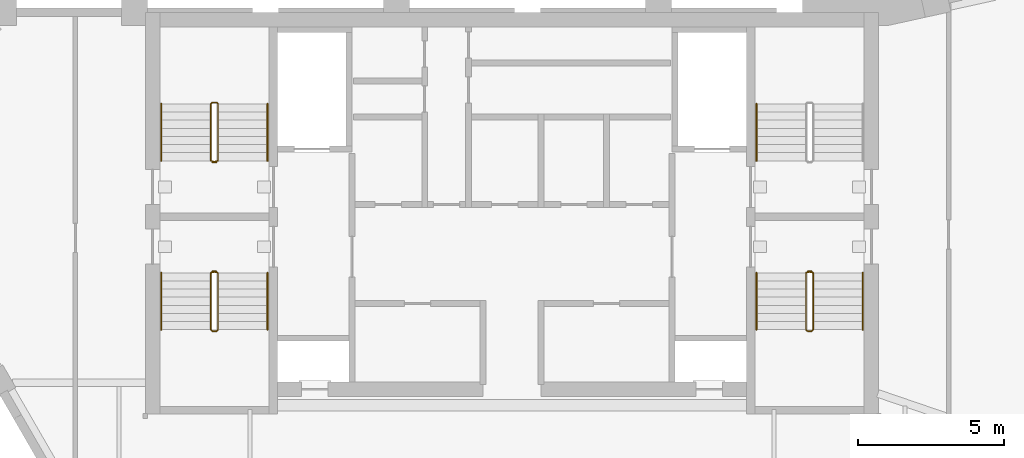
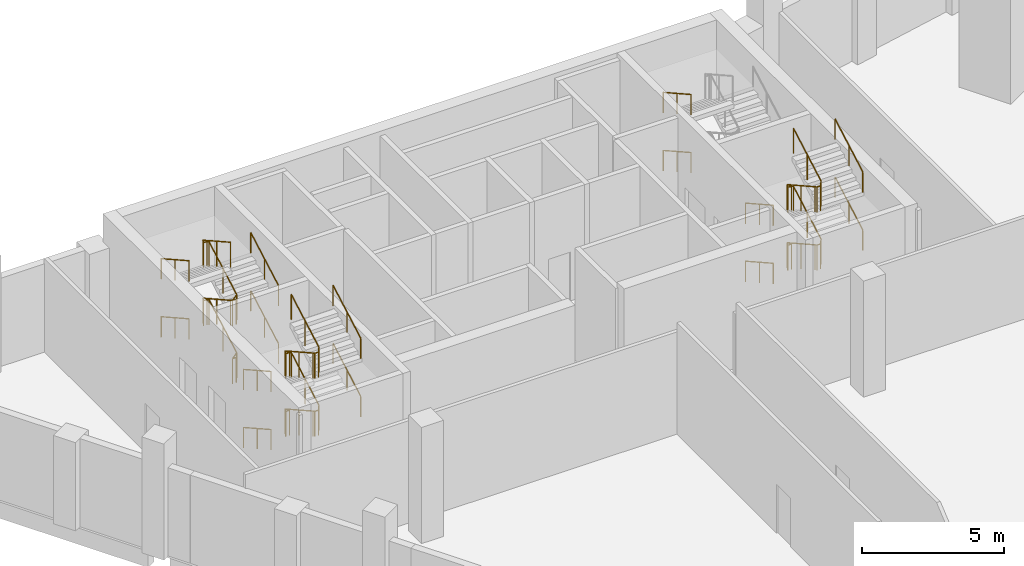
# One storey, part 8 of 9: 17 railings.
"""IFC4 building model written with IfcOpenShell, lengths in metres."""

import ifcopenshell
import ifcopenshell.guid

model = None  # the IFC model being written
_history = None  # IfcOwnerHistory: only IFC2X3 demands one
_inside = {}  # id of a spatial element -> (the spatial element, [elements in it])
_under = {}  # id of a project, library or spatial element -> (it, [spatial elements below it])
_declared = {}  # id of a project -> (the project, [libraries it declares])
_typed = {}  # id of a type object -> (the type object, [elements of that type])
_made_of = {}  # id of a material, layer set ... -> (it, [elements and type objects made of it])


def new_model(schema):
    """Start an empty IFC model of exactly this schema.

    Asked for "IFC4X3", IfcOpenShell would pick the latest addendum, in which some entities
    have other attributes; the version numbers below select the first issue.
    IFC2X3 requires an IfcOwnerHistory on every rooted entity: one is made here for all.
    """
    global model, _history
    if schema == "IFC4X3":
        model = ifcopenshell.file(schema_version=(4, 3, 0, 0))
    else:
        model = ifcopenshell.file(schema=schema)
    _inside.clear()
    _under.clear()
    _declared.clear()
    _typed.clear()
    _made_of.clear()
    _history = None
    if model.schema == "IFC2X3":
        org = make("IfcOrganization", Name="unknown")
        user = make(
            "IfcPersonAndOrganization",
            ThePerson=make("IfcPerson", FamilyName="unknown"),
            TheOrganization=org,
        )
        app = make(
            "IfcApplication",
            ApplicationDeveloper=org,
            Version="unknown",
            ApplicationFullName="unknown",
            ApplicationIdentifier="unknown",
        )
        _history = make(
            "IfcOwnerHistory",
            OwningUser=user,
            OwningApplication=app,
            ChangeAction="ADDED",
            CreationDate=0,
        )
    return model


def make(cls, **values):
    """One entity of the class cls with the attributes given. An attribute that is None is left unset."""
    return model.create_entity(
        cls, **{name: value for name, value in values.items() if value is not None}
    )


def rooted(cls, **values):
    """An entity with a GlobalId (a new one), such as an element, a storey or a relation."""
    return make(cls, GlobalId=ifcopenshell.guid.new(), OwnerHistory=_history, **values)


def si_unit(unit_type, name, prefix=None):
    """IfcSIUnit, for example si_unit("LENGTHUNIT", "METRE", prefix="MILLI")."""
    return make("IfcSIUnit", UnitType=unit_type, Prefix=prefix, Name=name)


def assignment(units):
    """IfcUnitAssignment: the units of a project."""
    return None if units is None else make("IfcUnitAssignment", Units=units)


def point(xyz):
    """IfcCartesianPoint."""
    return None if xyz is None else make("IfcCartesianPoint", Coordinates=xyz)


def direction(xyz):
    """IfcDirection."""
    return None if xyz is None else make("IfcDirection", DirectionRatios=xyz)


def frame(location, z_axis=None, x_axis=None):
    """IfcAxis2Placement3D, a coordinate frame: its origin and axes. An axis left out is left unset."""
    return make(
        "IfcAxis2Placement3D",
        Location=point(location),
        Axis=direction(z_axis),
        RefDirection=direction(x_axis),
    )


def frame_2d(location, x_axis=None):
    """IfcAxis2Placement2D, a coordinate frame in the plane: its origin and x axis."""
    return make(
        "IfcAxis2Placement2D", Location=point(location), RefDirection=direction(x_axis)
    )


def origin():
    """The frame at (0, 0, 0) with its axes left unset."""
    return frame((0.0, 0.0, 0.0))


def origin_2d():
    """The frame at (0, 0) in the plane with its x axis left unset."""
    return frame_2d((0.0, 0.0))


def place(relative_to, where):
    """IfcLocalPlacement: puts the frame where relative to a parent placement (None: the world)."""
    return make(
        "IfcLocalPlacement", PlacementRelTo=relative_to, RelativePlacement=where
    )


def context(
    kind, dimensions, precision=None, world=None, true_north=None, identifier=None
):
    """IfcGeometricRepresentationContext, for example the 3D "Model" context."""
    return make(
        "IfcGeometricRepresentationContext",
        ContextIdentifier=identifier,
        ContextType=kind,
        CoordinateSpaceDimension=dimensions,
        Precision=precision,
        WorldCoordinateSystem=world,
        TrueNorth=true_north,
    )


def subcontext(parent, identifier, kind, view, scale=None):
    """IfcGeometricRepresentationSubContext, for example "Body" below "Model"."""
    return make(
        "IfcGeometricRepresentationSubContext",
        ContextIdentifier=identifier,
        ContextType=kind,
        ParentContext=parent,
        TargetScale=scale,
        TargetView=view,
    )


def project(units=None, contexts=None):
    """IfcProject with its units and contexts."""
    return rooted(
        "IfcProject",
        Name="project",
        RepresentationContexts=contexts,
        UnitsInContext=assignment(units),
    )


def spatial(cls, under=None, at=None, **own):
    """A site, building, storey or space (cls), placed at a placement, below another one or the project."""
    s = rooted(cls, ObjectPlacement=at, **own)
    if under is not None:
        _under.setdefault(under.id(), (under, []))[1].append(s)
    return s


def profile(cls, at=None, kind="AREA", **sizes):
    """A parametric profile (cls). Its sizes go by their IFC names, for example OverallWidth=200.0."""
    return make(cls, ProfileType=kind, Position=at, **sizes)


def circle(**sizes):
    """IfcCircleProfileDef."""
    return profile("IfcCircleProfileDef", **sizes)


def extrude(swept, where, along, depth):
    """IfcExtrudedAreaSolid: the profile swept, set in the frame where, extruded along a direction by depth."""
    return make(
        "IfcExtrudedAreaSolid",
        SweptArea=swept,
        Position=where,
        ExtrudedDirection=direction(along),
        Depth=depth,
    )


def shape(context_of_items, identifier, shape_type, items):
    """IfcShapeRepresentation: the items that make up one representation, for example the "Body"."""
    return make(
        "IfcShapeRepresentation",
        ContextOfItems=context_of_items,
        RepresentationIdentifier=identifier,
        RepresentationType=shape_type,
        Items=items,
    )


def material(Name=None, Category=None):
    """IfcMaterial."""
    return make("IfcMaterial", Name=Name, Category=Category)


def made_of(thing, what):
    """Note that an element or type object is made of a material, layer set ...; save() writes the relation."""
    if what is not None:
        _made_of.setdefault(what.id(), (what, []))[1].append(thing)
    return thing


def type_object(cls, material=None, **own):
    """A type object (cls), such as IfcWallType, which elements share."""
    return made_of(rooted(cls, **own), material)


def element(
    cls,
    number,
    at=None,
    inside=None,
    cuts=None,
    type_object=None,
    material=None,
    context=None,
    identifier="Body",
    shape_type=None,
    held_by="IfcProductDefinitionShape",
    body=None,
    shapes=None,
    **own,
):
    """One element of the class cls, such as IfcWall. Its Tag is "e" and its number.

    at: its placement. inside: the storey or other place that contains it. cuts: it is an
    opening in that element (IfcRelVoidsElement). A single representation is given by context,
    identifier, shape_type and body (its items); several are given by shapes. held_by: the class
    of the entity that holds the representations. save() writes the other relations.
    """
    e = rooted(cls, Tag="e%d" % number, ObjectPlacement=at, **own)
    if body is not None:
        shapes = [shape(context, identifier, shape_type, body)]
    if shapes is not None:
        e.Representation = make(held_by, Representations=shapes)
    if inside is not None:
        _inside.setdefault(inside.id(), (inside, []))[1].append(e)
    if cuts is not None:
        rooted(
            "IfcRelVoidsElement", RelatingBuildingElement=cuts, RelatedOpeningElement=e
        )
    if type_object is not None:
        _typed.setdefault(type_object.id(), (type_object, []))[1].append(e)
    return made_of(e, material)


def aggregate(whole, parts):
    """IfcRelAggregates: a whole, such as a stair, and the parts it consists of."""
    return rooted("IfcRelAggregates", RelatingObject=whole, RelatedObjects=parts)


def save(model, path):
    """Write the relations noted so far, then the file.

    IfcRelAggregates (storeys below a building ...), IfcRelContainedInSpatialStructure (elements
    in a storey), IfcRelDefinesByType, IfcRelAssociatesMaterial and IfcRelDeclares: one each for
    every whole, place, type object, material and project.
    """
    for whole, parts in _under.values():
        aggregate(whole, parts)
    for where, things in _inside.values():
        rooted(
            "IfcRelContainedInSpatialStructure",
            RelatedElements=things,
            RelatingStructure=where,
        )
    for kind, things in _typed.values():
        rooted("IfcRelDefinesByType", RelatedObjects=things, RelatingType=kind)
    for what, things in _made_of.values():
        rooted("IfcRelAssociatesMaterial", RelatedObjects=things, RelatingMaterial=what)
    for by, libraries in _declared.values():
        rooted("IfcRelDeclares", RelatingContext=by, RelatedDefinitions=libraries)
    model.write(path)


model = new_model("IFC4")

# Units and contexts
model_context = context("Model", 3, precision=1e-05, world=origin(), true_north=direction((0.0, 1.0)))
body_context = subcontext(model_context, "Body", "Model", "MODEL_VIEW")
ifc_project = project(units=[si_unit("LENGTHUNIT", "METRE"), si_unit("AREAUNIT", "SQUARE_METRE"), si_unit("VOLUMEUNIT", "CUBIC_METRE"), si_unit("PLANEANGLEUNIT", "RADIAN"), si_unit("MASSUNIT", "GRAM", prefix="KILO")], contexts=[model_context])

# Site, building, storey
site_placement = place(None, origin())
site = spatial("IfcSite", under=ifc_project, at=site_placement, CompositionType="ELEMENT")
building_placement = place(site_placement, origin())
building = spatial("IfcBuilding", under=site, at=building_placement, Name="Calabash Gate Tower", CompositionType="ELEMENT")
storey_placement = place(building_placement, frame((0.0, 0.0, 320.5)))
storey = spatial("IfcBuildingStorey", under=building, at=storey_placement, Name="L75", CompositionType="ELEMENT", Elevation=320.5)

# Railings
ifc_material_1 = material(Name="Black powder-coated steel balusters", Category="steel")
railing_type_1 = type_object("IfcRailingType", Name="Stair guard RL1100", PredefinedType="GUARDRAIL", material=ifc_material_1)
railing_1_placement = place(storey_placement, frame((-10.14990234375, 13.902587890625, 0.0)))
element("IfcRailing", 1, at=railing_1_placement, inside=storey, type_object=railing_type_1, Name="L75 ST1 stair guard 1", PredefinedType="GUARDRAIL", context=body_context, shape_type="SweptSolid", body=[
    extrude(circle(Radius=0.02392578125, at=origin_2d()), frame((0.0, 0.0, 1.076171875), z_axis=(-1.0, 0.0, 0.0), x_axis=(0.0, -1.0, 0.0)), (0.0, 0.0, 1.0), 0.150146484375),
    extrude(circle(Radius=0.02392578125, at=origin_2d()), frame((-0.150146484375, 0.0, 1.076171875), z_axis=(0.77305925043, 0.19350078918, 0.604100024756), x_axis=(-0.242814311512, 0.970072785993, 0.0)), (0.0, 0.0, 1.0), 0.258544921875),
    extrude(circle(Radius=0.02392578125, at=origin_2d()), frame((0.0498046875, 0.050048828125, 1.232421875), z_axis=(0.0, 0.872479975208, 0.48864986735), x_axis=(-1.0, 0.0, 0.0)), (0.0, 0.0, 1.0), 2.23828125),
    extrude(circle(Radius=0.02392578125, at=origin_2d()), frame((0.0498046875, 2.0029296875, 2.326171875), z_axis=(-0.705375805398, 0.708833529934, 0.0), x_axis=(-0.708833529934, -0.705375805398, 0.0)), (0.0, 0.0, 1.0), 0.070556640625),
    extrude(circle(Radius=0.02392578125, at=origin_2d()), frame((0.0, 2.052978515625, 2.326171875), z_axis=(-1.0, 0.0, 0.0), x_axis=(0.0, -1.0, 0.0)), (0.0, 0.0, 1.0), 0.150146484375),
    extrude(circle(Radius=0.02392578125, at=origin_2d()), frame((-0.150146484375, 2.052978515625, 2.326171875), z_axis=(-0.29177245553, -0.29177245553, 0.91089937336), x_axis=(0.707106781187, -0.707106781187, 0.0)), (0.0, 0.0, 1.0), 0.171630859375),
    extrude(circle(Radius=0.02392578125, at=origin_2d()), frame((-0.2001953125, 2.0029296875, 2.482421875), z_axis=(0.0, -0.872479975208, 0.48864986735), x_axis=(1.0, 0.0, 0.0)), (0.0, 0.0, 1.0), 2.23828125),
    extrude(circle(Radius=0.02392578125, at=origin_2d()), frame((-0.2001953125, 0.050048828125, 3.576171875), z_axis=(0.970142500145, -0.242535625036, 0.0), x_axis=(0.242535625036, 0.970142500145, 0.0)), (0.0, 0.0, 1.0), 0.206298828125),
    extrude(circle(Radius=0.02392578125, at=origin_2d()), frame((0.0, 0.0, 3.576171875), z_axis=(-1.0, 0.0, 0.0), x_axis=(0.0, -1.0, 0.0)), (0.0, 0.0, 1.0), 0.150146484375),
    extrude(circle(Radius=0.02392578125, at=origin_2d()), frame((-0.150146484375, 0.0, 3.576171875), z_axis=(0.77305925043, 0.19350078918, 0.604100024756), x_axis=(-0.242814311512, 0.970072785993, 0.0)), (0.0, 0.0, 1.0), 0.258544921875),
    extrude(circle(Radius=0.02392578125, at=origin_2d()), frame((0.0498046875, 0.050048828125, 3.732421875), z_axis=(0.0, 0.872479975208, 0.48864986735), x_axis=(-1.0, 0.0, 0.0)), (0.0, 0.0, 1.0), 2.23828125),
    extrude(circle(Radius=0.02392578125, at=origin_2d()), frame((0.0498046875, 2.0029296875, 4.826171875), z_axis=(-0.705375805398, 0.708833529934, 0.0), x_axis=(-0.708833529934, -0.705375805398, 0.0)), (0.0, 0.0, 1.0), 0.070556640625),
    extrude(circle(Radius=0.02392578125, at=origin_2d()), frame((0.0, 2.052978515625, 4.826171875), z_axis=(-1.0, 0.0, 0.0), x_axis=(0.0, -1.0, 0.0)), (0.0, 0.0, 1.0), 0.150146484375),
    extrude(circle(Radius=0.02392578125, at=origin_2d()), frame((-0.150146484375, 2.052978515625, 4.826171875), z_axis=(-0.29177245553, -0.29177245553, 0.91089937336), x_axis=(0.707106781187, -0.707106781187, 0.0)), (0.0, 0.0, 1.0), 0.171630859375),
    extrude(circle(Radius=0.02392578125, at=origin_2d()), frame((-0.2001953125, 2.0029296875, 4.982421875), z_axis=(0.0, -0.872479975208, 0.48864986735), x_axis=(1.0, 0.0, 0.0)), (0.0, 0.0, 1.0), 2.23828125),
    extrude(circle(Radius=0.02099609375, at=origin_2d()), origin(), (0.0, 0.0, 1.0), 1.052001953125),
    extrude(circle(Radius=0.02099609375, at=origin_2d()), frame((-0.150146484375, 0.0, 0.0)), (0.0, 0.0, 1.0), 1.052001953125),
    extrude(circle(Radius=0.02099609375, at=origin_2d()), frame((0.0498046875, 0.050048828125, 0.15625)), (0.0, 0.0, 1.0), 1.052001953125),
    extrude(circle(Radius=0.02099609375, at=origin_2d()), frame((0.0498046875, 1.0263671875, 0.703125)), (0.0, 0.0, 1.0), 1.052001953125),
    extrude(circle(Radius=0.02099609375, at=origin_2d()), frame((0.0498046875, 2.0029296875, 1.25)), (0.0, 0.0, 1.0), 1.052001953125),
    extrude(circle(Radius=0.02099609375, at=origin_2d()), frame((0.0, 2.052978515625, 1.25)), (0.0, 0.0, 1.0), 1.052001953125),
    extrude(circle(Radius=0.02099609375, at=origin_2d()), frame((-0.150146484375, 2.052978515625, 1.25)), (0.0, 0.0, 1.0), 1.052001953125),
    extrude(circle(Radius=0.02099609375, at=origin_2d()), frame((-0.2001953125, 2.0029296875, 1.40625)), (0.0, 0.0, 1.0), 1.052001953125),
    extrude(circle(Radius=0.02099609375, at=origin_2d()), frame((-0.2001953125, 1.0263671875, 1.953125)), (0.0, 0.0, 1.0), 1.052001953125),
    extrude(circle(Radius=0.02099609375, at=origin_2d()), frame((-0.2001953125, 0.050048828125, 2.5)), (0.0, 0.0, 1.0), 1.052001953125),
    extrude(circle(Radius=0.02099609375, at=origin_2d()), frame((0.0, 0.0, 2.5)), (0.0, 0.0, 1.0), 1.052001953125),
    extrude(circle(Radius=0.02099609375, at=origin_2d()), frame((-0.150146484375, 0.0, 2.5)), (0.0, 0.0, 1.0), 1.052001953125),
    extrude(circle(Radius=0.02099609375, at=origin_2d()), frame((0.0498046875, 0.050048828125, 2.65625)), (0.0, 0.0, 1.0), 1.052001953125),
    extrude(circle(Radius=0.02099609375, at=origin_2d()), frame((0.0498046875, 1.0263671875, 3.203125)), (0.0, 0.0, 1.0), 1.052001953125),
    extrude(circle(Radius=0.02099609375, at=origin_2d()), frame((0.0498046875, 2.0029296875, 3.75)), (0.0, 0.0, 1.0), 1.052001953125),
    extrude(circle(Radius=0.02099609375, at=origin_2d()), frame((0.0, 2.052978515625, 3.75)), (0.0, 0.0, 1.0), 1.052001953125),
    extrude(circle(Radius=0.02099609375, at=origin_2d()), frame((-0.150146484375, 2.052978515625, 3.75)), (0.0, 0.0, 1.0), 1.052001953125),
    extrude(circle(Radius=0.02099609375, at=origin_2d()), frame((-0.2001953125, 2.0029296875, 3.90625)), (0.0, 0.0, 1.0), 1.052001953125),
    extrude(circle(Radius=0.02099609375, at=origin_2d()), frame((-0.2001953125, 1.0263671875, 4.453125)), (0.0, 0.0, 1.0), 1.052001953125),
    extrude(circle(Radius=0.02099609375, at=origin_2d()), frame((-0.2001953125, 0.050048828125, 5.0)), (0.0, 0.0, 1.0), 1.052001953125),
])
railing_2_placement = place(storey_placement, frame((-10.300048828125, 10.152587890625, 0.0)))
element("IfcRailing", 2, at=railing_2_placement, inside=storey, type_object=railing_type_1, Name="L75 ST2 stair guard 1", PredefinedType="GUARDRAIL", context=body_context, shape_type="SweptSolid", body=[
    extrude(circle(Radius=0.02392578125, at=origin_2d()), frame((0.0, 0.0, 1.076171875), z_axis=(1.0, 0.0, 0.0), x_axis=(0.0, 1.0, 0.0)), (0.0, 0.0, 1.0), 0.150146484375),
    extrude(circle(Radius=0.02392578125, at=origin_2d()), frame((0.150146484375, 0.0, 1.076171875), z_axis=(-0.773438643492, -0.193359660873, 0.603659429067), x_axis=(0.242535625036, -0.970142500145, 0.0)), (0.0, 0.0, 1.0), 0.2587890625),
    extrude(circle(Radius=0.02392578125, at=origin_2d()), frame((-0.050048828125, -0.050048828125, 1.232421875), z_axis=(0.0, -0.872479975208, 0.48864986735), x_axis=(1.0, 0.0, 0.0)), (0.0, 0.0, 1.0), 2.23828125),
    extrude(circle(Radius=0.02392578125, at=origin_2d()), frame((-0.050048828125, -2.0029296875, 2.326171875), z_axis=(0.707106781187, -0.707106781187, 0.0), x_axis=(0.707106781187, 0.707106781187, 0.0)), (0.0, 0.0, 1.0), 0.07080078125),
    extrude(circle(Radius=0.02392578125, at=origin_2d()), frame((0.0, -2.052978515625, 2.326171875), z_axis=(1.0, 0.0, 0.0), x_axis=(0.0, 1.0, 0.0)), (0.0, 0.0, 1.0), 0.150146484375),
    extrude(circle(Radius=0.02392578125, at=origin_2d()), frame((0.150146484375, -2.052978515625, 2.326171875), z_axis=(0.290469530425, 0.291893400672, 0.911276958196), x_axis=(-0.708833529934, 0.705375805398, 0.0)), (0.0, 0.0, 1.0), 0.17138671875),
    extrude(circle(Radius=0.02392578125, at=origin_2d()), frame((0.199951171875, -2.0029296875, 2.482421875), z_axis=(0.0, 0.872479975208, 0.48864986735), x_axis=(-1.0, 0.0, 0.0)), (0.0, 0.0, 1.0), 2.23828125),
    extrude(circle(Radius=0.02392578125, at=origin_2d()), frame((0.199951171875, -0.050048828125, 3.576171875), z_axis=(-0.970072785993, 0.242814311512, 0.0), x_axis=(-0.242814311512, -0.970072785993, 0.0)), (0.0, 0.0, 1.0), 0.2060546875),
    extrude(circle(Radius=0.02392578125, at=origin_2d()), frame((0.0, 0.0, 3.576171875), z_axis=(1.0, 0.0, 0.0), x_axis=(0.0, 1.0, 0.0)), (0.0, 0.0, 1.0), 0.150146484375),
    extrude(circle(Radius=0.02392578125, at=origin_2d()), frame((0.150146484375, 0.0, 3.576171875), z_axis=(-0.773438643492, -0.193359660873, 0.603659429067), x_axis=(0.242535625036, -0.970142500145, 0.0)), (0.0, 0.0, 1.0), 0.2587890625),
    extrude(circle(Radius=0.02392578125, at=origin_2d()), frame((-0.050048828125, -0.050048828125, 3.732421875), z_axis=(0.0, -0.872479975208, 0.48864986735), x_axis=(1.0, 0.0, 0.0)), (0.0, 0.0, 1.0), 2.23828125),
    extrude(circle(Radius=0.02392578125, at=origin_2d()), frame((-0.050048828125, -2.0029296875, 4.826171875), z_axis=(0.707106781187, -0.707106781187, 0.0), x_axis=(0.707106781187, 0.707106781187, 0.0)), (0.0, 0.0, 1.0), 0.07080078125),
    extrude(circle(Radius=0.02392578125, at=origin_2d()), frame((0.0, -2.052978515625, 4.826171875), z_axis=(1.0, 0.0, 0.0), x_axis=(0.0, 1.0, 0.0)), (0.0, 0.0, 1.0), 0.150146484375),
    extrude(circle(Radius=0.02392578125, at=origin_2d()), frame((0.150146484375, -2.052978515625, 4.826171875), z_axis=(0.290469530425, 0.291893400672, 0.911276958196), x_axis=(-0.708833529934, 0.705375805398, 0.0)), (0.0, 0.0, 1.0), 0.17138671875),
    extrude(circle(Radius=0.02392578125, at=origin_2d()), frame((0.199951171875, -2.0029296875, 4.982421875), z_axis=(0.0, 0.872479975208, 0.48864986735), x_axis=(-1.0, 0.0, 0.0)), (0.0, 0.0, 1.0), 2.23828125),
    extrude(circle(Radius=0.02099609375, at=origin_2d()), origin(), (0.0, 0.0, 1.0), 1.052001953125),
    extrude(circle(Radius=0.02099609375, at=origin_2d()), frame((0.150146484375, 0.0, 0.0)), (0.0, 0.0, 1.0), 1.052001953125),
    extrude(circle(Radius=0.02099609375, at=origin_2d()), frame((-0.050048828125, -0.050048828125, 0.15625)), (0.0, 0.0, 1.0), 1.052001953125),
    extrude(circle(Radius=0.02099609375, at=origin_2d()), frame((-0.050048828125, -1.0263671875, 0.703125)), (0.0, 0.0, 1.0), 1.052001953125),
    extrude(circle(Radius=0.02099609375, at=origin_2d()), frame((-0.050048828125, -2.0029296875, 1.25)), (0.0, 0.0, 1.0), 1.052001953125),
    extrude(circle(Radius=0.02099609375, at=origin_2d()), frame((0.0, -2.052978515625, 1.25)), (0.0, 0.0, 1.0), 1.052001953125),
    extrude(circle(Radius=0.02099609375, at=origin_2d()), frame((0.150146484375, -2.052978515625, 1.25)), (0.0, 0.0, 1.0), 1.052001953125),
    extrude(circle(Radius=0.02099609375, at=origin_2d()), frame((0.199951171875, -2.0029296875, 1.40625)), (0.0, 0.0, 1.0), 1.052001953125),
    extrude(circle(Radius=0.02099609375, at=origin_2d()), frame((0.199951171875, -1.0263671875, 1.953125)), (0.0, 0.0, 1.0), 1.052001953125),
    extrude(circle(Radius=0.02099609375, at=origin_2d()), frame((0.199951171875, -0.050048828125, 2.5)), (0.0, 0.0, 1.0), 1.052001953125),
    extrude(circle(Radius=0.02099609375, at=origin_2d()), frame((0.0, 0.0, 2.5)), (0.0, 0.0, 1.0), 1.052001953125),
    extrude(circle(Radius=0.02099609375, at=origin_2d()), frame((0.150146484375, 0.0, 2.5)), (0.0, 0.0, 1.0), 1.052001953125),
    extrude(circle(Radius=0.02099609375, at=origin_2d()), frame((-0.050048828125, -0.050048828125, 2.65625)), (0.0, 0.0, 1.0), 1.052001953125),
    extrude(circle(Radius=0.02099609375, at=origin_2d()), frame((-0.050048828125, -1.0263671875, 3.203125)), (0.0, 0.0, 1.0), 1.052001953125),
    extrude(circle(Radius=0.02099609375, at=origin_2d()), frame((-0.050048828125, -2.0029296875, 3.75)), (0.0, 0.0, 1.0), 1.052001953125),
    extrude(circle(Radius=0.02099609375, at=origin_2d()), frame((0.0, -2.052978515625, 3.75)), (0.0, 0.0, 1.0), 1.052001953125),
    extrude(circle(Radius=0.02099609375, at=origin_2d()), frame((0.150146484375, -2.052978515625, 3.75)), (0.0, 0.0, 1.0), 1.052001953125),
    extrude(circle(Radius=0.02099609375, at=origin_2d()), frame((0.199951171875, -2.0029296875, 3.90625)), (0.0, 0.0, 1.0), 1.052001953125),
    extrude(circle(Radius=0.02099609375, at=origin_2d()), frame((0.199951171875, -1.0263671875, 4.453125)), (0.0, 0.0, 1.0), 1.052001953125),
    extrude(circle(Radius=0.02099609375, at=origin_2d()), frame((0.199951171875, -0.050048828125, 5.0)), (0.0, 0.0, 1.0), 1.052001953125),
])
railing_3_placement = place(storey_placement, frame((10.14990234375, 10.152587890625, 0.0)))
element("IfcRailing", 3, at=railing_3_placement, inside=storey, type_object=railing_type_1, Name="L75 ST4 stair guard 1", PredefinedType="GUARDRAIL", context=body_context, shape_type="SweptSolid", body=[
    extrude(circle(Radius=0.02392578125, at=origin_2d()), frame((0.0, 0.0, 1.076171875), z_axis=(1.0, 0.0, 0.0), x_axis=(0.0, 1.0, 0.0)), (0.0, 0.0, 1.0), 0.150146484375),
    extrude(circle(Radius=0.02392578125, at=origin_2d()), frame((0.150146484375, 0.0, 1.076171875), z_axis=(-0.77305925043, -0.19350078918, 0.604100024756), x_axis=(0.242814311512, -0.970072785993, 0.0)), (0.0, 0.0, 1.0), 0.258544921875),
    extrude(circle(Radius=0.02392578125, at=origin_2d()), frame((-0.0498046875, -0.050048828125, 1.232421875), z_axis=(0.0, -0.872479975208, 0.48864986735), x_axis=(1.0, 0.0, 0.0)), (0.0, 0.0, 1.0), 2.23828125),
    extrude(circle(Radius=0.02392578125, at=origin_2d()), frame((-0.0498046875, -2.0029296875, 2.326171875), z_axis=(0.705375805398, -0.708833529934, 0.0), x_axis=(0.708833529934, 0.705375805398, 0.0)), (0.0, 0.0, 1.0), 0.070556640625),
    extrude(circle(Radius=0.02392578125, at=origin_2d()), frame((0.0, -2.052978515625, 2.326171875), z_axis=(1.0, 0.0, 0.0), x_axis=(0.0, 1.0, 0.0)), (0.0, 0.0, 1.0), 0.150146484375),
    extrude(circle(Radius=0.02392578125, at=origin_2d()), frame((0.150146484375, -2.052978515625, 2.326171875), z_axis=(0.29177245553, 0.29177245553, 0.91089937336), x_axis=(-0.707106781187, 0.707106781187, 0.0)), (0.0, 0.0, 1.0), 0.171630859375),
    extrude(circle(Radius=0.02392578125, at=origin_2d()), frame((0.2001953125, -2.0029296875, 2.482421875), z_axis=(0.0, 0.872479975208, 0.48864986735), x_axis=(-1.0, 0.0, 0.0)), (0.0, 0.0, 1.0), 2.23828125),
    extrude(circle(Radius=0.02392578125, at=origin_2d()), frame((0.2001953125, -0.050048828125, 3.576171875), z_axis=(-0.970142500145, 0.242535625036, 0.0), x_axis=(-0.242535625036, -0.970142500145, 0.0)), (0.0, 0.0, 1.0), 0.206298828125),
    extrude(circle(Radius=0.02392578125, at=origin_2d()), frame((0.0, 0.0, 3.576171875), z_axis=(1.0, 0.0, 0.0), x_axis=(0.0, 1.0, 0.0)), (0.0, 0.0, 1.0), 0.150146484375),
    extrude(circle(Radius=0.02392578125, at=origin_2d()), frame((0.150146484375, 0.0, 3.576171875), z_axis=(-0.77305925043, -0.19350078918, 0.604100024756), x_axis=(0.242814311512, -0.970072785993, 0.0)), (0.0, 0.0, 1.0), 0.258544921875),
    extrude(circle(Radius=0.02392578125, at=origin_2d()), frame((-0.0498046875, -0.050048828125, 3.732421875), z_axis=(0.0, -0.872479975208, 0.48864986735), x_axis=(1.0, 0.0, 0.0)), (0.0, 0.0, 1.0), 2.23828125),
    extrude(circle(Radius=0.02392578125, at=origin_2d()), frame((-0.0498046875, -2.0029296875, 4.826171875), z_axis=(0.705375805398, -0.708833529934, 0.0), x_axis=(0.708833529934, 0.705375805398, 0.0)), (0.0, 0.0, 1.0), 0.070556640625),
    extrude(circle(Radius=0.02392578125, at=origin_2d()), frame((0.0, -2.052978515625, 4.826171875), z_axis=(1.0, 0.0, 0.0), x_axis=(0.0, 1.0, 0.0)), (0.0, 0.0, 1.0), 0.150146484375),
    extrude(circle(Radius=0.02392578125, at=origin_2d()), frame((0.150146484375, -2.052978515625, 4.826171875), z_axis=(0.29177245553, 0.29177245553, 0.91089937336), x_axis=(-0.707106781187, 0.707106781187, 0.0)), (0.0, 0.0, 1.0), 0.171630859375),
    extrude(circle(Radius=0.02392578125, at=origin_2d()), frame((0.2001953125, -2.0029296875, 4.982421875), z_axis=(0.0, 0.872479975208, 0.48864986735), x_axis=(-1.0, 0.0, 0.0)), (0.0, 0.0, 1.0), 2.23828125),
    extrude(circle(Radius=0.02099609375, at=origin_2d()), origin(), (0.0, 0.0, 1.0), 1.052001953125),
    extrude(circle(Radius=0.02099609375, at=origin_2d()), frame((0.150146484375, 0.0, 0.0)), (0.0, 0.0, 1.0), 1.052001953125),
    extrude(circle(Radius=0.02099609375, at=origin_2d()), frame((-0.0498046875, -0.050048828125, 0.15625)), (0.0, 0.0, 1.0), 1.052001953125),
    extrude(circle(Radius=0.02099609375, at=origin_2d()), frame((-0.0498046875, -1.0263671875, 0.703125)), (0.0, 0.0, 1.0), 1.052001953125),
    extrude(circle(Radius=0.02099609375, at=origin_2d()), frame((-0.0498046875, -2.0029296875, 1.25)), (0.0, 0.0, 1.0), 1.052001953125),
    extrude(circle(Radius=0.02099609375, at=origin_2d()), frame((0.0, -2.052978515625, 1.25)), (0.0, 0.0, 1.0), 1.052001953125),
    extrude(circle(Radius=0.02099609375, at=origin_2d()), frame((0.150146484375, -2.052978515625, 1.25)), (0.0, 0.0, 1.0), 1.052001953125),
    extrude(circle(Radius=0.02099609375, at=origin_2d()), frame((0.2001953125, -2.0029296875, 1.40625)), (0.0, 0.0, 1.0), 1.052001953125),
    extrude(circle(Radius=0.02099609375, at=origin_2d()), frame((0.2001953125, -1.0263671875, 1.953125)), (0.0, 0.0, 1.0), 1.052001953125),
    extrude(circle(Radius=0.02099609375, at=origin_2d()), frame((0.2001953125, -0.050048828125, 2.5)), (0.0, 0.0, 1.0), 1.052001953125),
    extrude(circle(Radius=0.02099609375, at=origin_2d()), frame((0.0, 0.0, 2.5)), (0.0, 0.0, 1.0), 1.052001953125),
    extrude(circle(Radius=0.02099609375, at=origin_2d()), frame((0.150146484375, 0.0, 2.5)), (0.0, 0.0, 1.0), 1.052001953125),
    extrude(circle(Radius=0.02099609375, at=origin_2d()), frame((-0.0498046875, -0.050048828125, 2.65625)), (0.0, 0.0, 1.0), 1.052001953125),
    extrude(circle(Radius=0.02099609375, at=origin_2d()), frame((-0.0498046875, -1.0263671875, 3.203125)), (0.0, 0.0, 1.0), 1.052001953125),
    extrude(circle(Radius=0.02099609375, at=origin_2d()), frame((-0.0498046875, -2.0029296875, 3.75)), (0.0, 0.0, 1.0), 1.052001953125),
    extrude(circle(Radius=0.02099609375, at=origin_2d()), frame((0.0, -2.052978515625, 3.75)), (0.0, 0.0, 1.0), 1.052001953125),
    extrude(circle(Radius=0.02099609375, at=origin_2d()), frame((0.150146484375, -2.052978515625, 3.75)), (0.0, 0.0, 1.0), 1.052001953125),
    extrude(circle(Radius=0.02099609375, at=origin_2d()), frame((0.2001953125, -2.0029296875, 3.90625)), (0.0, 0.0, 1.0), 1.052001953125),
    extrude(circle(Radius=0.02099609375, at=origin_2d()), frame((0.2001953125, -1.0263671875, 4.453125)), (0.0, 0.0, 1.0), 1.052001953125),
    extrude(circle(Radius=0.02099609375, at=origin_2d()), frame((0.2001953125, -0.050048828125, 5.0)), (0.0, 0.0, 1.0), 1.052001953125),
])
ifc_material_2 = material(Name="Black powder-coated steel tube 48 mm", Category="steel")
railing_type_2 = type_object("IfcRailingType", Name="Stair handrail RL900", PredefinedType="HANDRAIL", material=ifc_material_2)
railing_4_placement = place(storey_placement, frame((-8.39990234375, 13.95263671875, 0.15625)))
element("IfcRailing", 4, at=railing_4_placement, inside=storey, type_object=railing_type_2, Name="L75 ST1 stair handrail 1", PredefinedType="HANDRAIL", context=body_context, shape_type="SweptSolid", body=[
    extrude(circle(Radius=0.02392578125, at=origin_2d()), frame((0.0, 0.0, 0.8759765625), z_axis=(0.0, 0.872479975208, 0.48864986735), x_axis=(-1.0, 0.0, 0.0)), (0.0, 0.0, 1.0), 2.23828125),
    extrude(circle(Radius=0.02099609375, at=origin_2d()), origin(), (0.0, 0.0, 1.0), 0.851806640625),
    extrude(circle(Radius=0.02099609375, at=origin_2d()), frame((0.0, 0.9765625, 0.546875)), (0.0, 0.0, 1.0), 0.851806640625),
    extrude(circle(Radius=0.02099609375, at=origin_2d()), frame((0.0, 1.952880859375, 1.09375)), (0.0, 0.0, 1.0), 0.851806640625),
])
railing_5_placement = place(storey_placement, frame((-12.050048828125, 15.905517578125, 1.40625)))
element("IfcRailing", 5, at=railing_5_placement, inside=storey, type_object=railing_type_2, Name="L75 ST1 stair handrail 2", PredefinedType="HANDRAIL", context=body_context, shape_type="SweptSolid", body=[
    extrude(circle(Radius=0.02392578125, at=origin_2d()), frame((0.0, 0.0, 0.8759765625), z_axis=(0.0, -0.872479975208, 0.48864986735), x_axis=(1.0, 0.0, 0.0)), (0.0, 0.0, 1.0), 2.23828125),
    extrude(circle(Radius=0.02099609375, at=origin_2d()), origin(), (0.0, 0.0, 1.0), 0.851806640625),
    extrude(circle(Radius=0.02099609375, at=origin_2d()), frame((0.0, -0.9765625, 0.546875)), (0.0, 0.0, 1.0), 0.851806640625),
    extrude(circle(Radius=0.02099609375, at=origin_2d()), frame((0.0, -1.952880859375, 1.09375)), (0.0, 0.0, 1.0), 0.851806640625),
])
railing_6_placement = place(storey_placement, frame((-8.39990234375, 13.95263671875, 2.65625)))
element("IfcRailing", 6, at=railing_6_placement, inside=storey, type_object=railing_type_2, Name="L75 ST1 stair handrail 3", PredefinedType="HANDRAIL", context=body_context, shape_type="SweptSolid", body=[
    extrude(circle(Radius=0.02392578125, at=origin_2d()), frame((0.0, 0.0, 0.8759765625), z_axis=(0.0, 0.872479975208, 0.48864986735), x_axis=(-1.0, 0.0, 0.0)), (0.0, 0.0, 1.0), 2.23828125),
    extrude(circle(Radius=0.02099609375, at=origin_2d()), origin(), (0.0, 0.0, 1.0), 0.851806640625),
    extrude(circle(Radius=0.02099609375, at=origin_2d()), frame((0.0, 0.9765625, 0.546875)), (0.0, 0.0, 1.0), 0.851806640625),
    extrude(circle(Radius=0.02099609375, at=origin_2d()), frame((0.0, 1.952880859375, 1.09375)), (0.0, 0.0, 1.0), 0.851806640625),
])
for number, where, name in (
    (7, (-12.050048828125, 15.905517578125, 3.90625), "L75 ST1 stair handrail 4"),
    (8, (-12.050048828125, 10.1025390625, 0.15625), "L75 ST2 stair handrail 1"),
):
    element("IfcRailing", number, at=place(storey_placement, frame(where)), inside=storey, type_object=railing_type_2, Name=name, PredefinedType="HANDRAIL", context=body_context, shape_type="SweptSolid", body=[
        extrude(circle(Radius=0.02392578125, at=origin_2d()), frame((0.0, 0.0, 0.8759765625), z_axis=(0.0, -0.872479975208, 0.48864986735), x_axis=(1.0, 0.0, 0.0)), (0.0, 0.0, 1.0), 2.23828125),
        extrude(circle(Radius=0.02099609375, at=origin_2d()), origin(), (0.0, 0.0, 1.0), 0.851806640625),
        extrude(circle(Radius=0.02099609375, at=origin_2d()), frame((0.0, -0.9765625, 0.546875)), (0.0, 0.0, 1.0), 0.851806640625),
        extrude(circle(Radius=0.02099609375, at=origin_2d()), frame((0.0, -1.952880859375, 1.09375)), (0.0, 0.0, 1.0), 0.851806640625),
    ])
railing_7_placement = place(storey_placement, frame((-8.39990234375, 8.149658203125, 1.40625)))
element("IfcRailing", 9, at=railing_7_placement, inside=storey, type_object=railing_type_2, Name="L75 ST2 stair handrail 2", PredefinedType="HANDRAIL", context=body_context, shape_type="SweptSolid", body=[
    extrude(circle(Radius=0.02392578125, at=origin_2d()), frame((0.0, 0.0, 0.8759765625), z_axis=(0.0, 0.872479975208, 0.48864986735), x_axis=(-1.0, 0.0, 0.0)), (0.0, 0.0, 1.0), 2.23828125),
    extrude(circle(Radius=0.02099609375, at=origin_2d()), origin(), (0.0, 0.0, 1.0), 0.851806640625),
    extrude(circle(Radius=0.02099609375, at=origin_2d()), frame((0.0, 0.9765625, 0.546875)), (0.0, 0.0, 1.0), 0.851806640625),
    extrude(circle(Radius=0.02099609375, at=origin_2d()), frame((0.0, 1.952880859375, 1.09375)), (0.0, 0.0, 1.0), 0.851806640625),
])
railing_8_placement = place(storey_placement, frame((-12.050048828125, 10.1025390625, 2.65625)))
element("IfcRailing", 10, at=railing_8_placement, inside=storey, type_object=railing_type_2, Name="L75 ST2 stair handrail 3", PredefinedType="HANDRAIL", context=body_context, shape_type="SweptSolid", body=[
    extrude(circle(Radius=0.02392578125, at=origin_2d()), frame((0.0, 0.0, 0.8759765625), z_axis=(0.0, -0.872479975208, 0.48864986735), x_axis=(1.0, 0.0, 0.0)), (0.0, 0.0, 1.0), 2.23828125),
    extrude(circle(Radius=0.02099609375, at=origin_2d()), origin(), (0.0, 0.0, 1.0), 0.851806640625),
    extrude(circle(Radius=0.02099609375, at=origin_2d()), frame((0.0, -0.9765625, 0.546875)), (0.0, 0.0, 1.0), 0.851806640625),
    extrude(circle(Radius=0.02099609375, at=origin_2d()), frame((0.0, -1.952880859375, 1.09375)), (0.0, 0.0, 1.0), 0.851806640625),
])
railing_9_placement = place(storey_placement, frame((-8.39990234375, 8.149658203125, 3.90625)))
element("IfcRailing", 11, at=railing_9_placement, inside=storey, type_object=railing_type_2, Name="L75 ST2 stair handrail 4", PredefinedType="HANDRAIL", context=body_context, shape_type="SweptSolid", body=[
    extrude(circle(Radius=0.02392578125, at=origin_2d()), frame((0.0, 0.0, 0.8759765625), z_axis=(0.0, 0.872479975208, 0.48864986735), x_axis=(-1.0, 0.0, 0.0)), (0.0, 0.0, 1.0), 2.23828125),
    extrude(circle(Radius=0.02099609375, at=origin_2d()), origin(), (0.0, 0.0, 1.0), 0.851806640625),
    extrude(circle(Radius=0.02099609375, at=origin_2d()), frame((0.0, 0.9765625, 0.546875)), (0.0, 0.0, 1.0), 0.851806640625),
    extrude(circle(Radius=0.02099609375, at=origin_2d()), frame((0.0, 1.952880859375, 1.09375)), (0.0, 0.0, 1.0), 0.851806640625),
])
for number, where, name in (
    (12, (8.39990234375, 15.905517578125, 1.40625), "L75 ST3 stair handrail 2"),
    (13, (8.39990234375, 15.905517578125, 3.90625), "L75 ST3 stair handrail 4"),
    (14, (8.39990234375, 10.1025390625, 0.15625), "L75 ST4 stair handrail 1"),
):
    element("IfcRailing", number, at=place(storey_placement, frame(where)), inside=storey, type_object=railing_type_2, Name=name, PredefinedType="HANDRAIL", context=body_context, shape_type="SweptSolid", body=[
        extrude(circle(Radius=0.02392578125, at=origin_2d()), frame((0.0, 0.0, 0.8759765625), z_axis=(0.0, -0.872479975208, 0.48864986735), x_axis=(1.0, 0.0, 0.0)), (0.0, 0.0, 1.0), 2.23828125),
        extrude(circle(Radius=0.02099609375, at=origin_2d()), origin(), (0.0, 0.0, 1.0), 0.851806640625),
        extrude(circle(Radius=0.02099609375, at=origin_2d()), frame((0.0, -0.9765625, 0.546875)), (0.0, 0.0, 1.0), 0.851806640625),
        extrude(circle(Radius=0.02099609375, at=origin_2d()), frame((0.0, -1.952880859375, 1.09375)), (0.0, 0.0, 1.0), 0.851806640625),
    ])
railing_10_placement = place(storey_placement, frame((12.050048828125, 8.149658203125, 1.40625)))
element("IfcRailing", 15, at=railing_10_placement, inside=storey, type_object=railing_type_2, Name="L75 ST4 stair handrail 2", PredefinedType="HANDRAIL", context=body_context, shape_type="SweptSolid", body=[
    extrude(circle(Radius=0.02392578125, at=origin_2d()), frame((0.0, 0.0, 0.8759765625), z_axis=(0.0, 0.872479975208, 0.48864986735), x_axis=(-1.0, 0.0, 0.0)), (0.0, 0.0, 1.0), 2.23828125),
    extrude(circle(Radius=0.02099609375, at=origin_2d()), origin(), (0.0, 0.0, 1.0), 0.851806640625),
    extrude(circle(Radius=0.02099609375, at=origin_2d()), frame((0.0, 0.9765625, 0.546875)), (0.0, 0.0, 1.0), 0.851806640625),
    extrude(circle(Radius=0.02099609375, at=origin_2d()), frame((0.0, 1.952880859375, 1.09375)), (0.0, 0.0, 1.0), 0.851806640625),
])
railing_11_placement = place(storey_placement, frame((8.39990234375, 10.1025390625, 2.65625)))
element("IfcRailing", 16, at=railing_11_placement, inside=storey, type_object=railing_type_2, Name="L75 ST4 stair handrail 3", PredefinedType="HANDRAIL", context=body_context, shape_type="SweptSolid", body=[
    extrude(circle(Radius=0.02392578125, at=origin_2d()), frame((0.0, 0.0, 0.8759765625), z_axis=(0.0, -0.872479975208, 0.48864986735), x_axis=(1.0, 0.0, 0.0)), (0.0, 0.0, 1.0), 2.23828125),
    extrude(circle(Radius=0.02099609375, at=origin_2d()), origin(), (0.0, 0.0, 1.0), 0.851806640625),
    extrude(circle(Radius=0.02099609375, at=origin_2d()), frame((0.0, -0.9765625, 0.546875)), (0.0, 0.0, 1.0), 0.851806640625),
    extrude(circle(Radius=0.02099609375, at=origin_2d()), frame((0.0, -1.952880859375, 1.09375)), (0.0, 0.0, 1.0), 0.851806640625),
])
railing_12_placement = place(storey_placement, frame((12.050048828125, 8.149658203125, 3.90625)))
element("IfcRailing", 17, at=railing_12_placement, inside=storey, type_object=railing_type_2, Name="L75 ST4 stair handrail 4", PredefinedType="HANDRAIL", context=body_context, shape_type="SweptSolid", body=[
    extrude(circle(Radius=0.02392578125, at=origin_2d()), frame((0.0, 0.0, 0.8759765625), z_axis=(0.0, 0.872479975208, 0.48864986735), x_axis=(-1.0, 0.0, 0.0)), (0.0, 0.0, 1.0), 2.23828125),
    extrude(circle(Radius=0.02099609375, at=origin_2d()), origin(), (0.0, 0.0, 1.0), 0.851806640625),
    extrude(circle(Radius=0.02099609375, at=origin_2d()), frame((0.0, 0.9765625, 0.546875)), (0.0, 0.0, 1.0), 0.851806640625),
    extrude(circle(Radius=0.02099609375, at=origin_2d()), frame((0.0, 1.952880859375, 1.09375)), (0.0, 0.0, 1.0), 0.851806640625),
])

save(model, "model.ifc")
